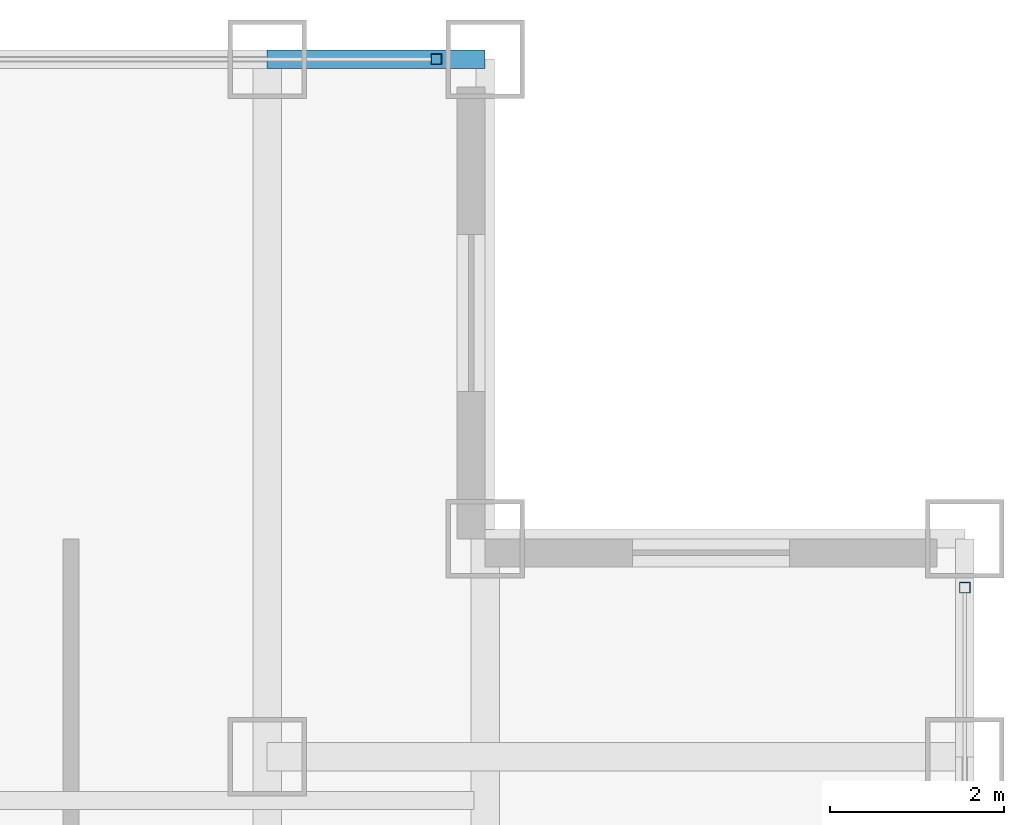
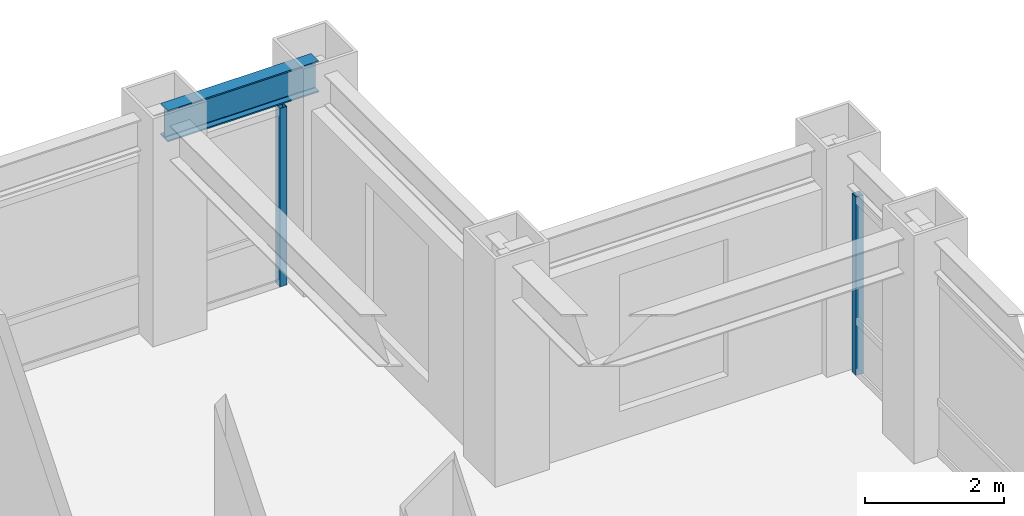
# One storey, part 16 of 22: 2 members, 1 beam, 2 elements without a shape of their own.
"""IFC4 building model written with IfcOpenShell, lengths in metres."""

from ifc_helpers import new_model, si_unit, direction, frame, origin, origin_2d, place, context, subcontext, project, spatial, hollow_rectangle, i_section, extrude, source, transform, mapped, material, material_profile, profile_set, type_object, element, aggregate, save


model = new_model("IFC4")

# Units and contexts
model_context = context("Model", 3, precision=1e-05, world=origin(), true_north=direction((0.0, 1.0)))
body_context = subcontext(model_context, "Body", "Model", "MODEL_VIEW")
ifc_project = project(units=[si_unit("LENGTHUNIT", "METRE"), si_unit("AREAUNIT", "SQUARE_METRE"), si_unit("VOLUMEUNIT", "CUBIC_METRE"), si_unit("PLANEANGLEUNIT", "RADIAN"), si_unit("MASSUNIT", "GRAM", prefix="KILO")], contexts=[model_context])

# Site, building, storey
site_placement = place(None, origin())
site = spatial("IfcSite", under=ifc_project, at=site_placement, CompositionType="ELEMENT")
building_placement = place(site_placement, origin())
building = spatial("IfcBuilding", under=site, at=building_placement, Name="Khorayat Bourse Tower", CompositionType="ELEMENT")
storey_placement = place(building_placement, frame((0.0, 0.0, 305.5)))
storey = spatial("IfcBuildingStorey", under=building, at=storey_placement, Name="L72", CompositionType="ELEMENT", Elevation=305.5)

# Beam
ifc_material_1 = material(Name="Steel ASTM A992 Grade 50", Category="steel")
ifc_material_profile_1 = material_profile(ifc_material_1, i_section(OverallWidth=0.214111328125, OverallDepth=0.549072265625, WebThickness=0.0146484375, FlangeThickness=0.023681640625, FilletRadius=0.013916015625, at=origin_2d()), Name="W530X138")
ifc_profile_set_1 = profile_set([ifc_material_profile_1], Name="Steel ASTM A992 Grade 50")
beam_type = type_object("IfcBeamType", Name="BM-SPAN-530", PredefinedType="SPANDREL", material=ifc_profile_set_1)
shared_shape_1 = source(origin(), body_context, "Body", "SweptSolid", [
    extrude(i_section(OverallWidth=0.214111328125, OverallDepth=0.549072265625, WebThickness=0.0146484375, FlangeThickness=0.023681640625, FilletRadius=0.013916015625, at=origin_2d()), origin(), (0.0, 0.0, 1.0), 2.5),
])
beam_placement = place(storey_placement, frame((20.0, 28.0, 3.505615234375), z_axis=(1.0, 0.0, 0.0), x_axis=(0.0, 1.0, 0.0)))
element("IfcBeam", 1, at=beam_placement, inside=storey, type_object=beam_type, Name="L72 BM-SPAN-530 BM-L72-SPN-044", PredefinedType="SPANDREL", context=body_context, shape_type="MappedRepresentation", body=[
    mapped(shared_shape_1, transform((0.0, 0.0, 0.0), scale=1.0)),
])

# Curtain wall, member
ifc_material_2 = material(Name="Aluminium EN AW-6063 T6", Category="aluminium")
curtain_wall_type = type_object("IfcCurtainWallType", Name="CW-SYS-04", PredefinedType="NOTDEFINED", material=ifc_material_2)
curtain_wall_1_placement = place(storey_placement, origin())
curtain_wall_1 = element("IfcCurtainWall", 2, at=curtain_wall_1_placement, inside=storey, type_object=curtain_wall_type, Name="L72 Curtain Wall CW-L72-N1", PredefinedType="NOTDEFINED")
ifc_material_profile_2 = material_profile(ifc_material_2, hollow_rectangle(XDim=0.1201171875, YDim=0.1201171875, WallThickness=0.0048828125, at=origin_2d()), Name="ALU 120x120x5")
ifc_profile_set_2 = profile_set([ifc_material_profile_2], Name="Aluminium EN AW-6063 T6")
member_type = type_object("IfcMemberType", Name="CWM-VERT-120", PredefinedType="MULLION", material=ifc_profile_set_2)
shared_shape_2 = source(origin(), body_context, "Body", "SweptSolid", [
    extrude(hollow_rectangle(XDim=0.1201171875, YDim=0.1201171875, WallThickness=0.0048828125, at=origin_2d()), origin(), (0.0, 0.0, 1.0), 3.1298828125),
])
member_1_placement = place(storey_placement, frame((21.93994140625, 28.0, 0.0), z_axis=(0.0, 0.0, 1.0), x_axis=(0.0, 1.0, 0.0)))
member_1 = element("IfcMember", 3, at=member_1_placement, type_object=member_type, Name="CW-L72-N1 Vertical Mullion 3", PredefinedType="MULLION", context=body_context, shape_type="MappedRepresentation", body=[
    mapped(shared_shape_2, transform((0.0, 0.0, 0.0), scale=1.0)),
])
aggregate(curtain_wall_1, [member_1])

curtain_wall_2_placement = place(storey_placement, origin())
curtain_wall_2 = element("IfcCurtainWall", 4, at=curtain_wall_2_placement, inside=storey, type_object=curtain_wall_type, Name="L72 Curtain Wall CW-L72-E1", PredefinedType="NOTDEFINED")
member_2_placement = place(storey_placement, frame((28.0, 21.93994140625, 0.0), z_axis=(0.0, 0.0, 1.0), x_axis=(-1.0, 0.0, 0.0)))
member_2 = element("IfcMember", 5, at=member_2_placement, type_object=member_type, Name="CW-L72-E1 Vertical Mullion 3", PredefinedType="MULLION", context=body_context, shape_type="MappedRepresentation", body=[
    mapped(shared_shape_2, transform((0.0, 0.0, 0.0), scale=1.0)),
])
aggregate(curtain_wall_2, [member_2])

save(model, "model.ifc")
